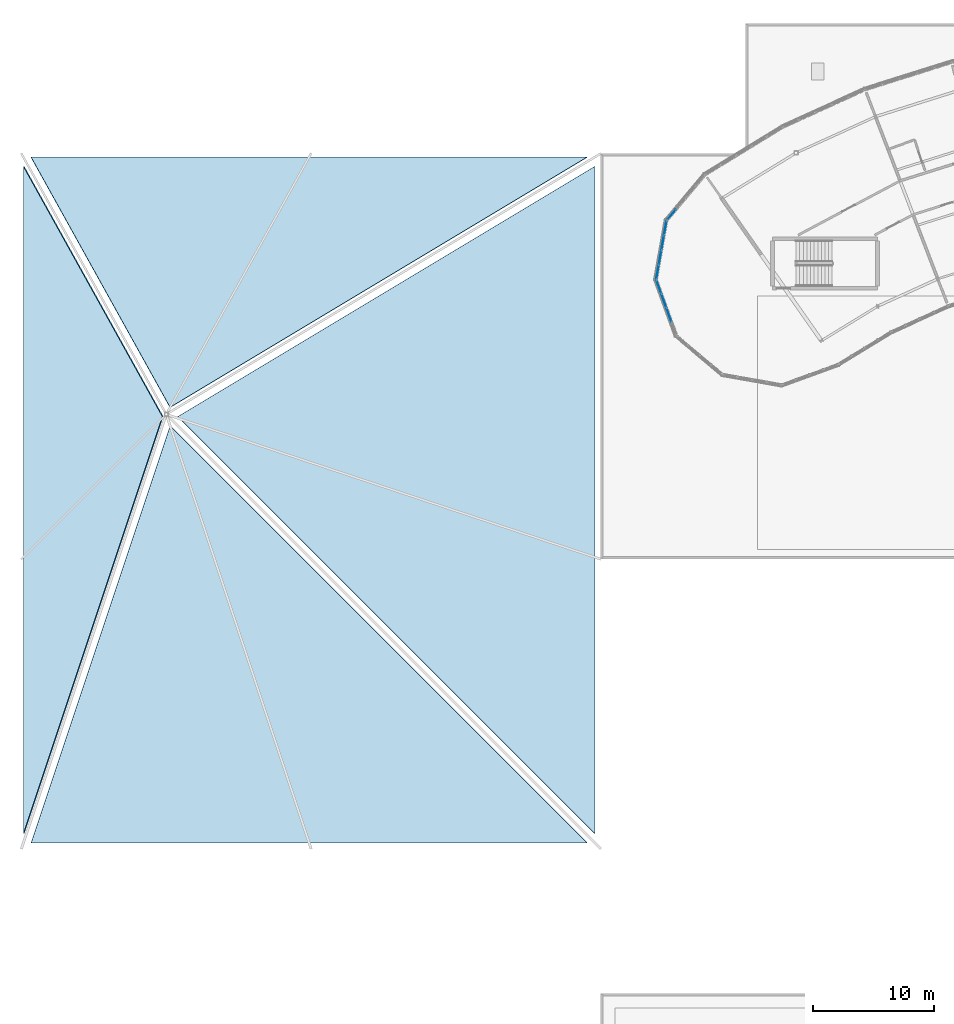
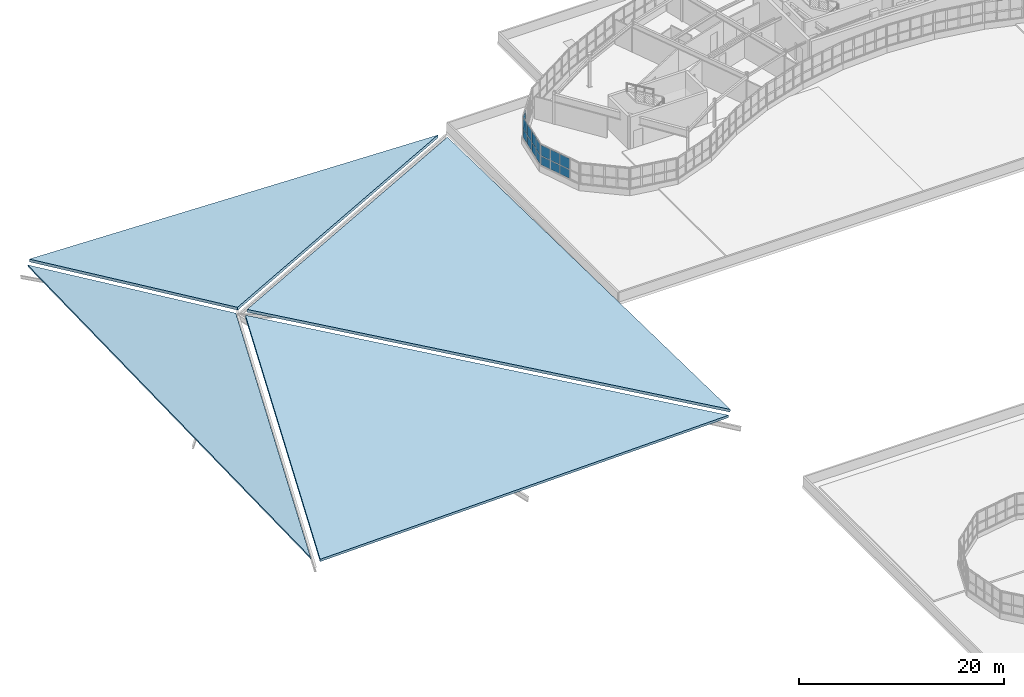
# One storey, part 73 of 128: 16 plates, 4 slabs, 3 elements without a shape of their own.
"""IFC4 building model written with IfcOpenShell, lengths in metres."""

from ifc_helpers import new_model, si_unit, direction, frame, origin, origin_2d, place, context, subcontext, project, spatial, polyline, rectangle, outline, extrude, material, layer, layer_set, type_object, element, aggregate, save


model = new_model("IFC4")

# Units and contexts
model_context = context("Model", 3, precision=1e-05, world=origin(), true_north=direction((0.0, 1.0)))
body_context = subcontext(model_context, "Body", "Model", "MODEL_VIEW")
ifc_project = project(units=[si_unit("LENGTHUNIT", "METRE"), si_unit("AREAUNIT", "SQUARE_METRE"), si_unit("VOLUMEUNIT", "CUBIC_METRE"), si_unit("PLANEANGLEUNIT", "RADIAN"), si_unit("MASSUNIT", "GRAM", prefix="KILO")], contexts=[model_context])

# Site, building, storey
site_placement = place(None, origin())
site = spatial("IfcSite", under=ifc_project, at=site_placement, CompositionType="ELEMENT")
building_placement = place(site_placement, origin())
building = spatial("IfcBuilding", under=site, at=building_placement, Name="Tarnwether General Hospital", CompositionType="ELEMENT")
storey_placement = place(building_placement, frame((0.0, 0.0, 14.39990234375)))
storey = spatial("IfcBuildingStorey", under=building, at=storey_placement, Name="L03", CompositionType="ELEMENT", Elevation=14.39990234375)

# Curtain wall, plates
ifc_material_1 = material(Name="Anodised aluminium", Category="aluminium")
ifc_layer_1 = layer(ifc_material_1, 0.159912109375)
ifc_layer_set_1 = layer_set([ifc_layer_1], Name="Anodised aluminium")
curtain_wall_type = type_object("IfcCurtainWallType", Name="CW-03", PredefinedType="NOTDEFINED", material=ifc_layer_set_1)
curtain_wall_1_placement = place(storey_placement, origin())
curtain_wall_1 = element("IfcCurtainWall", 1, at=curtain_wall_1_placement, inside=storey, type_object=curtain_wall_type, Name="Curtain Wall CWG-L03-543_1001-0002", PredefinedType="NOTDEFINED")
ifc_material_2 = material(Name="Double glazed low-E glass", Category="glass")
ifc_layer_2 = layer(ifc_material_2, 0.028076171875)
ifc_layer_set_2 = layer_set([ifc_layer_2], Name="Double glazed low-E glass")
plate_type_1 = type_object("IfcPlateType", Name="PT-CWP1", PredefinedType="CURTAIN_PANEL", material=ifc_layer_set_2)
plate_1_placement = place(storey_placement, frame((53.6728515625, 101.8408203125, 1.1201171875), z_axis=(0.0, 0.0, 1.0), x_axis=(-0.341953136469, 0.939717006582, 0.0)))
plate_1 = element("IfcPlate", 2, at=plate_1_placement, type_object=plate_type_1, Name="CW-03 panel 2.1", PredefinedType="CURTAIN_PANEL", context=body_context, shape_type="SweptSolid", body=[
    extrude(rectangle(XDim=1.172119140625, YDim=0.028076171875, at=origin_2d()), origin(), (0.0, 0.0, 1.0), 1.0244140625),
])
plate_2_placement = place(storey_placement, frame((53.6728515625, 101.8408203125, 2.214599609375), z_axis=(0.0, 0.0, 1.0), x_axis=(-0.341953136469, 0.939717006582, 0.0)))
plate_2 = element("IfcPlate", 3, at=plate_2_placement, type_object=plate_type_1, Name="CW-03 panel 2.2", PredefinedType="CURTAIN_PANEL", context=body_context, shape_type="SweptSolid", body=[
    extrude(rectangle(XDim=1.172119140625, YDim=0.028076171875, at=origin_2d()), origin(), (0.0, 0.0, 1.0), 1.275390625),
])
plate_3_placement = place(storey_placement, frame((53.248046875, 103.008056640625, 1.1201171875), z_axis=(0.0, 0.0, 1.0), x_axis=(-0.341953136469, 0.939717006582, 0.0)))
plate_3 = element("IfcPlate", 4, at=plate_3_placement, type_object=plate_type_1, Name="CW-03 panel 3.1", PredefinedType="CURTAIN_PANEL", context=body_context, shape_type="SweptSolid", body=[
    extrude(rectangle(XDim=1.172119140625, YDim=0.028076171875, at=origin_2d()), origin(), (0.0, 0.0, 1.0), 1.0244140625),
])
plate_4_placement = place(storey_placement, frame((53.248046875, 103.008056640625, 2.214599609375), z_axis=(0.0, 0.0, 1.0), x_axis=(-0.341953136469, 0.939717006582, 0.0)))
plate_4 = element("IfcPlate", 5, at=plate_4_placement, type_object=plate_type_1, Name="CW-03 panel 3.2", PredefinedType="CURTAIN_PANEL", context=body_context, shape_type="SweptSolid", body=[
    extrude(rectangle(XDim=1.172119140625, YDim=0.028076171875, at=origin_2d()), origin(), (0.0, 0.0, 1.0), 1.275390625),
])
plate_5_placement = place(storey_placement, frame((52.829345703125, 104.158935546875, 1.1201171875), z_axis=(0.0, 0.0, 1.0), x_axis=(-0.341953136469, 0.939717006582, 0.0)))
plate_5 = element("IfcPlate", 6, at=plate_5_placement, type_object=plate_type_1, Name="CW-03 panel 4.1", PredefinedType="CURTAIN_PANEL", context=body_context, shape_type="SweptSolid", body=[
    extrude(rectangle(XDim=1.13720703125, YDim=0.028076171875, at=origin_2d()), origin(), (0.0, 0.0, 1.0), 1.0244140625),
])
plate_6_placement = place(storey_placement, frame((52.829345703125, 104.158935546875, 2.214599609375), z_axis=(0.0, 0.0, 1.0), x_axis=(-0.341953136469, 0.939717006582, 0.0)))
plate_6 = element("IfcPlate", 7, at=plate_6_placement, type_object=plate_type_1, Name="CW-03 panel 4.2", PredefinedType="CURTAIN_PANEL", context=body_context, shape_type="SweptSolid", body=[
    extrude(rectangle(XDim=1.13720703125, YDim=0.028076171875, at=origin_2d()), origin(), (0.0, 0.0, 1.0), 1.275390625),
])
aggregate(curtain_wall_1, [plate_1, plate_2, plate_3, plate_4, plate_5, plate_6])

curtain_wall_2_placement = place(storey_placement, origin())
curtain_wall_2 = element("IfcCurtainWall", 8, at=curtain_wall_2_placement, inside=storey, type_object=curtain_wall_type, Name="Curtain Wall CWG-L03-535_1097-0032", PredefinedType="NOTDEFINED")
plate_7_placement = place(storey_placement, frame((53.88525390625, 110.144287109375, 1.1298828125), z_axis=(0.0, 0.0, 1.0), x_axis=(0.64285227611, 0.765990176896, 0.0)))
plate_7 = element("IfcPlate", 9, at=plate_7_placement, type_object=plate_type_1, Name="CW-03 panel 1.1", PredefinedType="CURTAIN_PANEL", context=body_context, shape_type="SweptSolid", body=[
    extrude(rectangle(XDim=1.12255859375, YDim=0.028076171875, at=origin_2d()), origin(), (0.0, 0.0, 1.0), 1.009521484375),
])
plate_8_placement = place(storey_placement, frame((53.88525390625, 110.144287109375, 2.2197265625), z_axis=(0.0, 0.0, 1.0), x_axis=(0.64285227611, 0.765990176896, 0.0)))
plate_8 = element("IfcPlate", 10, at=plate_8_placement, type_object=plate_type_1, Name="CW-03 panel 1.2", PredefinedType="CURTAIN_PANEL", context=body_context, shape_type="SweptSolid", body=[
    extrude(rectangle(XDim=1.12255859375, YDim=0.028076171875, at=origin_2d()), origin(), (0.0, 0.0, 1.0), 1.260498046875),
])
aggregate(curtain_wall_2, [plate_7, plate_8])

curtain_wall_3_placement = place(storey_placement, origin())
curtain_wall_3 = element("IfcCurtainWall", 11, at=curtain_wall_3_placement, inside=storey, type_object=curtain_wall_type, Name="Curtain Wall CWG-L03-526_1048-0001", PredefinedType="NOTDEFINED")
ifc_material_3 = material(Name="Double glazed low-E glass", Category="glass")
ifc_layer_3 = layer(ifc_material_3, 0.035888671875)
ifc_layer_set_3 = layer_set([ifc_layer_3], Name="Double glazed low-E glass")
plate_type_2 = type_object("IfcPlateType", Name="PT-CWP2", PredefinedType="CURTAIN_PANEL", material=ifc_layer_set_3)
plate_9_placement = place(storey_placement, frame((52.721435546875, 105.385498046875, 1.110107421875), z_axis=(0.0, 0.0, 1.0), x_axis=(0.173463890135, 0.984840230098, 0.0)))
plate_9 = element("IfcPlate", 12, at=plate_9_placement, type_object=plate_type_2, Name="CW-03 panel 1.1", PredefinedType="CURTAIN_PANEL", context=body_context, shape_type="SweptSolid", body=[
    extrude(rectangle(XDim=1.15234375, YDim=0.035888671875, at=origin_2d()), origin(), (0.0, 0.0, 1.0), 1.03955078125),
])
plate_10_placement = place(storey_placement, frame((52.721435546875, 105.385498046875, 2.20947265625), z_axis=(0.0, 0.0, 1.0), x_axis=(0.173463890135, 0.984840230098, 0.0)))
plate_10 = element("IfcPlate", 13, at=plate_10_placement, type_object=plate_type_2, Name="CW-03 panel 1.2", PredefinedType="CURTAIN_PANEL", context=body_context, shape_type="SweptSolid", body=[
    extrude(rectangle(XDim=1.15234375, YDim=0.035888671875, at=origin_2d()), origin(), (0.0, 0.0, 1.0), 1.29052734375),
])
plate_11_placement = place(storey_placement, frame((52.934326171875, 106.59423828125, 1.110107421875), z_axis=(0.0, 0.0, 1.0), x_axis=(0.173463890135, 0.984840230098, 0.0)))
plate_11 = element("IfcPlate", 14, at=plate_11_placement, type_object=plate_type_2, Name="CW-03 panel 2.1", PredefinedType="CURTAIN_PANEL", context=body_context, shape_type="SweptSolid", body=[
    extrude(rectangle(XDim=1.182373046875, YDim=0.035888671875, at=origin_2d()), origin(), (0.0, 0.0, 1.0), 1.03955078125),
])
plate_12_placement = place(storey_placement, frame((52.934326171875, 106.59423828125, 2.20947265625), z_axis=(0.0, 0.0, 1.0), x_axis=(0.173463890135, 0.984840230098, 0.0)))
plate_12 = element("IfcPlate", 15, at=plate_12_placement, type_object=plate_type_2, Name="CW-03 panel 2.2", PredefinedType="CURTAIN_PANEL", context=body_context, shape_type="SweptSolid", body=[
    extrude(rectangle(XDim=1.182373046875, YDim=0.035888671875, at=origin_2d()), origin(), (0.0, 0.0, 1.0), 1.29052734375),
])
plate_13_placement = place(storey_placement, frame((53.149658203125, 107.81787109375, 1.110107421875), z_axis=(0.0, 0.0, 1.0), x_axis=(0.173463890135, 0.984840230098, 0.0)))
plate_13 = element("IfcPlate", 16, at=plate_13_placement, type_object=plate_type_2, Name="CW-03 panel 3.1", PredefinedType="CURTAIN_PANEL", context=body_context, shape_type="SweptSolid", body=[
    extrude(rectangle(XDim=1.182373046875, YDim=0.035888671875, at=origin_2d()), origin(), (0.0, 0.0, 1.0), 1.03955078125),
])
plate_14_placement = place(storey_placement, frame((53.149658203125, 107.81787109375, 2.20947265625), z_axis=(0.0, 0.0, 1.0), x_axis=(0.173463890135, 0.984840230098, 0.0)))
plate_14 = element("IfcPlate", 17, at=plate_14_placement, type_object=plate_type_2, Name="CW-03 panel 3.2", PredefinedType="CURTAIN_PANEL", context=body_context, shape_type="SweptSolid", body=[
    extrude(rectangle(XDim=1.182373046875, YDim=0.035888671875, at=origin_2d()), origin(), (0.0, 0.0, 1.0), 1.29052734375),
])
plate_15_placement = place(storey_placement, frame((53.362548828125, 109.0263671875, 1.110107421875), z_axis=(0.0, 0.0, 1.0), x_axis=(0.173463890135, 0.984840230098, 0.0)))
plate_15 = element("IfcPlate", 18, at=plate_15_placement, type_object=plate_type_2, Name="CW-03 panel 4.1", PredefinedType="CURTAIN_PANEL", context=body_context, shape_type="SweptSolid", body=[
    extrude(rectangle(XDim=1.15234375, YDim=0.035888671875, at=origin_2d()), origin(), (0.0, 0.0, 1.0), 1.03955078125),
])
plate_16_placement = place(storey_placement, frame((53.362548828125, 109.0263671875, 2.20947265625), z_axis=(0.0, 0.0, 1.0), x_axis=(0.173463890135, 0.984840230098, 0.0)))
plate_16 = element("IfcPlate", 19, at=plate_16_placement, type_object=plate_type_2, Name="CW-03 panel 4.2", PredefinedType="CURTAIN_PANEL", context=body_context, shape_type="SweptSolid", body=[
    extrude(rectangle(XDim=1.15234375, YDim=0.035888671875, at=origin_2d()), origin(), (0.0, 0.0, 1.0), 1.29052734375),
])
aggregate(curtain_wall_3, [plate_9, plate_10, plate_11, plate_12, plate_13, plate_14, plate_15, plate_16])

# Slabs
ifc_material_4 = material(Name="Concrete 40 MPa", Category="concrete")
ifc_layer_4 = layer(ifc_material_4, 0.31005859375)
ifc_layer_set_4 = layer_set([ifc_layer_4], Name="Concrete 40 MPa")
slab_type = type_object("IfcSlabType", Name="SL-RF160", PredefinedType="ROOF", material=ifc_layer_set_4)
slab_1_placement = place(storey_placement, frame((0.800048828125, 58.080078125, 0.47216796875), z_axis=(-0.022766962567, -0.111083631828, 0.993550246417), x_axis=(0.999737560301, 0.0, 0.022908743362)))
element("IfcSlab", 20, at=slab_1_placement, inside=storey, type_object=slab_type, Name="Operating Suite Origami Folded Roof Shard South", PredefinedType="ROOF", context=body_context, shape_type="SweptSolid", body=[
    extrude(outline(polyline([(0.0, 0.0), (46.091930336675944, -1.3877787807814457e-17), (11.611561902623269, 34.77503499238069), (0.0, 0.0)])), origin(), (0.0, 0.0, -1.0), 0.31005859375),
])
slab_2_placement = place(storey_placement, frame((47.52001953125, 58.847900390625, 1.528076171875), z_axis=(0.107341391422, 0.018981722822, 0.994041005133), x_axis=(0.0, 0.999817730539, -0.019092032357)))
element("IfcSlab", 21, at=slab_2_placement, inside=storey, type_object=slab_type, Name="Operating Suite Origami Folded Roof Shard East", PredefinedType="ROOF", context=body_context, shape_type="SweptSolid", body=[
    extrude(outline(polyline([(0.0, 0.0), (55.30622321361092, 0.0), (34.49510821692334, 34.760899371421274), (0.0, 0.0)])), origin(), (0.0, 0.0, -1.0), 0.31005859375),
])
slab_3_placement = place(storey_placement, frame((46.8798828125, 114.912109375, 0.47607421875), z_axis=(0.028830020241, 0.148722747745, 0.988458584988), x_axis=(-0.999574924609, 0.0, 0.029154246568)))
element("IfcSlab", 22, at=slab_3_placement, inside=storey, type_object=slab_type, Name="Operating Suite Origami Folded Roof Shard North", PredefinedType="ROOF", context=body_context, shape_type="SweptSolid", body=[
    extrude(outline(polyline([(0.0, 0.0), (46.09942971748778, 0.0), (34.66547060640738, 20.969284803796494), (0.0, 0.0)])), origin(), (0.0, 0.0, -1.0), 0.31005859375),
])
slab_4_placement = place(storey_placement, frame((0.159912109375, 114.14404296875, 1.820068359375), z_axis=(-0.274376079694, -0.023365705458, 0.961338551552), x_axis=(0.0, -0.999704754889, -0.024298210875)))
element("IfcSlab", 23, at=slab_4_placement, inside=storey, type_object=slab_type, Name="Operating Suite Origami Folded Roof Shard West", PredefinedType="ROOF", context=body_context, shape_type="SweptSolid", body=[
    extrude(outline(polyline([(0.0, 0.0), (55.312473315431866, 5.551115123125783e-17), (20.66231710398382, 11.97977370533378), (0.0, 0.0)])), origin(), (0.0, 0.0, -1.0), 0.31005859375),
])

save(model, "model.ifc")
